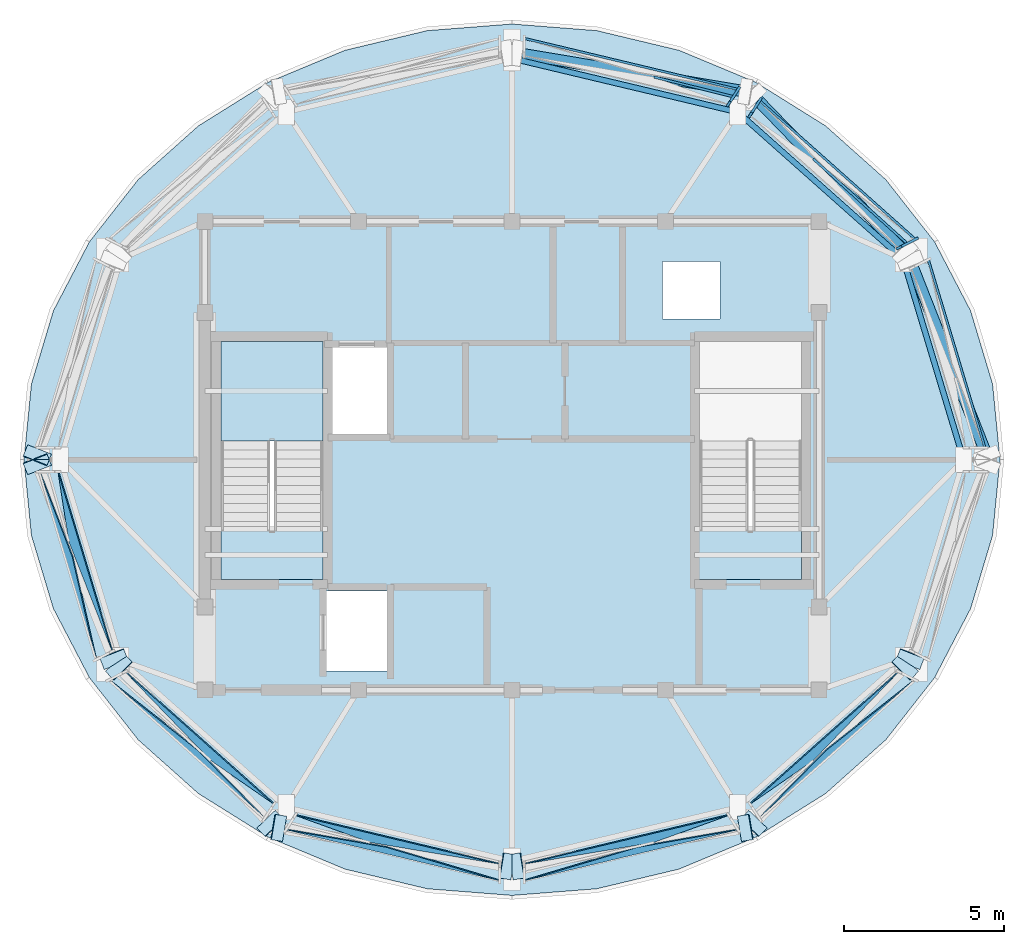
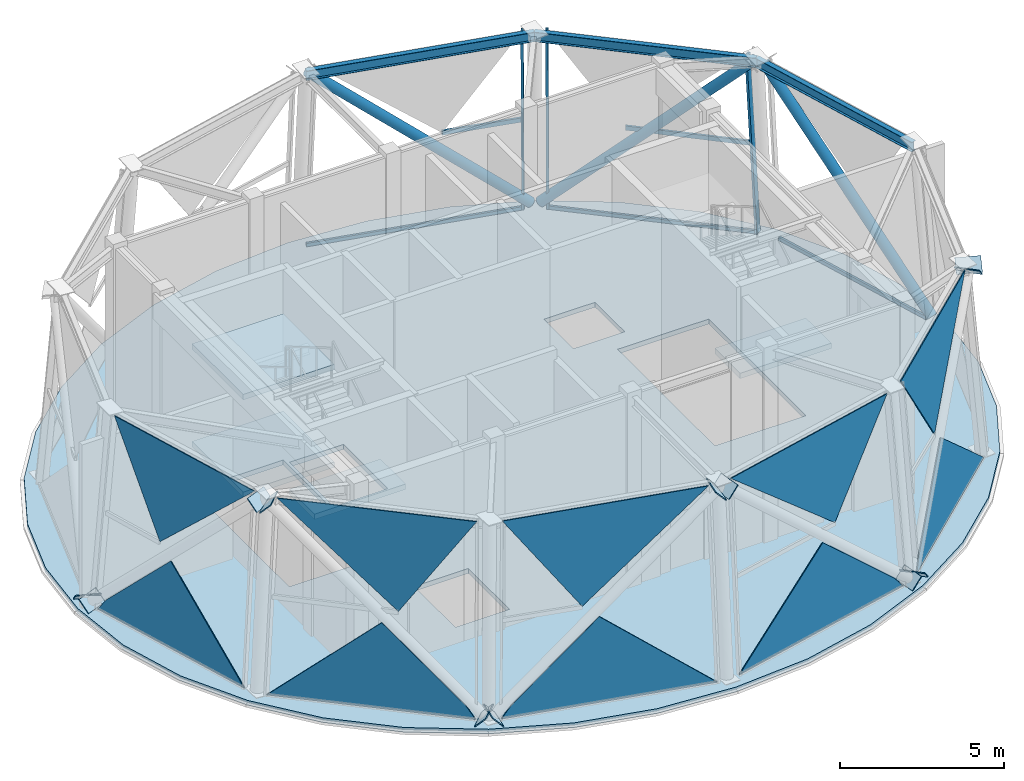
# One storey, part 3 of 8: 22 plates, 11 members, 5 slabs, 3 beams, 10 elements without a shape of their own.
"""IFC4 building model written with IfcOpenShell, lengths in metres."""

from ifc_helpers import new_model, si_unit, direction, frame, origin, origin_2d, place, context, subcontext, project, spatial, polyline, hollow_rectangle, hollow_circle, i_section, outline, extrude, material, layer, layer_set, material_profile, profile_set, type_object, element, aggregate, save


model = new_model("IFC4")

# Units and contexts
model_context = context("Model", 3, precision=1e-05, world=origin(), true_north=direction((0.0, 1.0)))
body_context = subcontext(model_context, "Body", "Model", "MODEL_VIEW")
ifc_project = project(units=[si_unit("LENGTHUNIT", "METRE"), si_unit("AREAUNIT", "SQUARE_METRE"), si_unit("VOLUMEUNIT", "CUBIC_METRE"), si_unit("PLANEANGLEUNIT", "RADIAN"), si_unit("MASSUNIT", "GRAM", prefix="KILO")], contexts=[model_context])

# Site, building, storey
site_placement = place(None, origin())
site = spatial("IfcSite", under=ifc_project, at=site_placement, CompositionType="ELEMENT")
building_placement = place(site_placement, origin())
building = spatial("IfcBuilding", under=site, at=building_placement, Name="Vantalir Tower", CompositionType="ELEMENT")
storey_placement = place(building_placement, frame((0.0, 0.0, 333.5)))
storey = spatial("IfcBuildingStorey", under=building, at=storey_placement, Name="L80", CompositionType="ELEMENT", Elevation=333.5)

# Beams
ifc_material_1 = material(Name="Steel S460", Category="steel")
ifc_material_profile_1 = material_profile(ifc_material_1, i_section(OverallWidth=0.172119140625, OverallDepth=0.35791015625, WebThickness=0.008056640625, FlangeThickness=0.012939453125, at=origin_2d()), Name="Steel S460")
ifc_profile_set_1 = profile_set([ifc_material_profile_1], Name="Steel S460")
beam_type = type_object("IfcBeamType", Name="BM-RB-356x171", PredefinedType="BEAM", material=ifc_profile_set_1)
beam_1_placement = place(storey_placement, frame((45.614013671875, 25.0, 6.89111328125), z_axis=(-0.288722271948, 0.957412894044, 0.0), x_axis=(-0.957412894044, -0.288722271948, 0.0)))
element("IfcBeam", 1, at=beam_1_placement, inside=storey, type_object=beam_type, Name="L80 Circumferential Ring Girder 01", PredefinedType="BEAM", context=body_context, shape_type="SweptSolid", body=[
    extrude(i_section(OverallWidth=0.172119140625, OverallDepth=0.35791015625, WebThickness=0.008056640625, FlangeThickness=0.012939453125, at=origin_2d()), origin(), (0.0, 0.0, 1.0), 6.550048828125),
])
beam_2_placement = place(storey_placement, frame((43.722900390625, 31.27099609375, 6.89111328125), z_axis=(-0.747407369896, 0.664366031209, 0.0), x_axis=(-0.664366031209, -0.747407369896, 0.0)))
element("IfcBeam", 2, at=beam_2_placement, inside=storey, type_object=beam_type, Name="L80 Circumferential Ring Girder 02", PredefinedType="BEAM", context=body_context, shape_type="SweptSolid", body=[
    extrude(i_section(OverallWidth=0.172119140625, OverallDepth=0.35791015625, WebThickness=0.008056640625, FlangeThickness=0.012939453125, at=origin_2d()), origin(), (0.0, 0.0, 1.0), 6.911865234375),
])
beam_3_placement = place(storey_placement, frame((38.556884765625, 35.863037109375, 6.89111328125), z_axis=(-0.97281488068, 0.231584127105, 0.0), x_axis=(-0.231584127105, -0.97281488068, 0.0)))
element("IfcBeam", 3, at=beam_3_placement, inside=storey, type_object=beam_type, Name="L80 Circumferential Ring Girder 03", PredefinedType="BEAM", context=body_context, shape_type="SweptSolid", body=[
    extrude(i_section(OverallWidth=0.172119140625, OverallDepth=0.35791015625, WebThickness=0.008056640625, FlangeThickness=0.012939453125, at=origin_2d()), origin(), (0.0, 0.0, 1.0), 7.254150390625),
])

# Curtain wall, members
ifc_material_2 = material(Name="Champagne-silver PVDF aluminium and double-silver Low-E glass", Category="aluminium")
ifc_layer_1 = layer(ifc_material_2, 0.25)
ifc_layer_set_1 = layer_set([ifc_layer_1], Name="Champagne-silver PVDF aluminium and double-silver Low-E glass")
curtain_wall_type = type_object("IfcCurtainWallType", Name="CW-CROWN-PT", PredefinedType="USERDEFINED", material=ifc_layer_set_1)
curtain_wall_1_placement = place(storey_placement, origin())
curtain_wall_1 = element("IfcCurtainWall", 4, at=curtain_wall_1_placement, inside=storey, type_object=curtain_wall_type, Name="L80 Quilted Pyramid-Diamond Curtain Wall S02", ObjectType="UNITISED CURTAIN WALL", PredefinedType="USERDEFINED")
ifc_material_3 = material(Name="Champagne-silver PVDF aluminium 6063-T6", Category="aluminium")
ifc_material_profile_2 = material_profile(ifc_material_3, hollow_rectangle(XDim=0.080078125, YDim=0.199951171875, WallThickness=0.0048828125, at=origin_2d()), Name="Champagne-silver PVDF aluminium 6063-T6")
ifc_profile_set_2 = profile_set([ifc_material_profile_2], Name="Champagne-silver PVDF aluminium 6063-T6")
member_type_1 = type_object("IfcMemberType", Name="CWM-200x80", PredefinedType="MULLION", material=ifc_profile_set_2)
member_1_placement = place(storey_placement, frame((44.10498046875, 31.886962890625, 0.044921875), z_axis=(-0.072544830154, -0.037405383352, 0.996663476262), x_axis=(0.4582838613, -0.888805885709, 0.0)))
member_1 = element("IfcMember", 5, at=member_1_placement, type_object=member_type_1, Name="CW-L80-S02 Mullion 1", PredefinedType="MULLION", context=body_context, shape_type="SweptSolid", body=[
    extrude(hollow_rectangle(XDim=0.080078125, YDim=0.199951171875, WallThickness=0.0048828125, at=origin_2d()), origin(), (0.0, 0.0, 1.0), 7.00341796875),
])
member_2_placement = place(storey_placement, frame((39.237060546875, 36.221923828125, 0.044921875), z_axis=(-0.041986824775, -0.0648284944, 0.997012724522), x_axis=(0.839339926536, -0.54360692391, 0.0)))
member_2 = element("IfcMember", 6, at=member_2_placement, type_object=member_type_1, Name="CW-L80-S02 Mullion 2", PredefinedType="MULLION", context=body_context, shape_type="SweptSolid", body=[
    extrude(hollow_rectangle(XDim=0.080078125, YDim=0.199951171875, WallThickness=0.0048828125, at=origin_2d()), origin(), (0.0, 0.0, 1.0), 7.0009765625),
])

# Curtain wall, member
curtain_wall_2_placement = place(storey_placement, origin())
curtain_wall_2 = element("IfcCurtainWall", 7, at=curtain_wall_2_placement, inside=storey, type_object=curtain_wall_type, Name="L80 Quilted Pyramid-Diamond Curtain Wall S03", ObjectType="UNITISED CURTAIN WALL", PredefinedType="USERDEFINED")
member_3_placement = place(storey_placement, frame((38.56689453125, 36.571044921875, 0.044921875), z_axis=(-0.041986729828, -0.064863220499, 0.997010469927), x_axis=(0.839473273036, -0.54340097889, 0.0)))
member_3 = element("IfcMember", 8, at=member_3_placement, type_object=member_type_1, Name="CW-L80-S03 Mullion 1", PredefinedType="MULLION", context=body_context, shape_type="SweptSolid", body=[
    extrude(hollow_rectangle(XDim=0.080078125, YDim=0.199951171875, WallThickness=0.0048828125, at=origin_2d()), origin(), (0.0, 0.0, 1.0), 7.0009765625),
])

curtain_wall_3_placement = place(storey_placement, origin())
curtain_wall_3 = element("IfcCurtainWall", 9, at=curtain_wall_3_placement, inside=storey, type_object=curtain_wall_type, Name="L80 Quilted Pyramid-Diamond Curtain Wall S01", ObjectType="UNITISED CURTAIN WALL", PredefinedType="USERDEFINED")
ifc_material_profile_3 = material_profile(ifc_material_3, hollow_rectangle(XDim=0.070068359375, YDim=0.139892578125, WallThickness=0.00390625, at=origin_2d()), Name="Champagne-silver PVDF aluminium 6063-T6")
ifc_profile_set_3 = profile_set([ifc_material_profile_3], Name="Champagne-silver PVDF aluminium 6063-T6")
member_type_2 = type_object("IfcMemberType", Name="CWT-140x70", PredefinedType="USERDEFINED", material=ifc_profile_set_3)
member_4_placement = place(storey_placement, frame((46.279052734375, 25.373046875, 0.054931640625), z_axis=(-0.288310372114, 0.95753701199, 0.0), x_axis=(-0.95753701199, -0.288310372114, 0.0)))
member_4 = element("IfcMember", 10, at=member_4_placement, type_object=member_type_2, Name="CW-L80-S01 Sill Transom", ObjectType="TRANSOM", PredefinedType="USERDEFINED", context=body_context, shape_type="SweptSolid", body=[
    extrude(hollow_rectangle(XDim=0.070068359375, YDim=0.139892578125, WallThickness=0.00390625, at=origin_2d()), origin(), (0.0, 0.0, 1.0), 6.142578125),
])
aggregate(curtain_wall_3, [member_4])

# Member
member_5_placement = place(storey_placement, frame((44.10498046875, 31.886962890625, 0.054931640625), z_axis=(-0.746805605234, 0.665042395634, 0.0), x_axis=(-0.665042395634, -0.746805605234, 0.0)))
member_5 = element("IfcMember", 11, at=member_5_placement, type_object=member_type_2, Name="CW-L80-S02 Sill Transom", ObjectType="TRANSOM", PredefinedType="USERDEFINED", context=body_context, shape_type="SweptSolid", body=[
    extrude(hollow_rectangle(XDim=0.070068359375, YDim=0.139892578125, WallThickness=0.00390625, at=origin_2d()), origin(), (0.0, 0.0, 1.0), 6.518310546875),
])

member_6_placement = place(storey_placement, frame((38.56689453125, 36.571044921875, 0.054931640625), z_axis=(-0.972689129656, 0.232111733977, 0.0), x_axis=(-0.232111733977, -0.972689129656, 0.0)))
member_6 = element("IfcMember", 12, at=member_6_placement, type_object=member_type_2, Name="CW-L80-S03 Sill Transom", ObjectType="TRANSOM", PredefinedType="USERDEFINED", context=body_context, shape_type="SweptSolid", body=[
    extrude(hollow_rectangle(XDim=0.070068359375, YDim=0.139892578125, WallThickness=0.00390625, at=origin_2d()), origin(), (0.0, 0.0, 1.0), 6.875732421875),
])

ifc_material_profile_4 = material_profile(ifc_material_3, hollow_rectangle(XDim=0.074951171875, YDim=0.159912109375, WallThickness=0.00390625, at=origin_2d()), Name="Champagne-silver PVDF aluminium 6063-T6")
ifc_profile_set_4 = profile_set([ifc_material_profile_4], Name="Champagne-silver PVDF aluminium 6063-T6")
member_type_3 = type_object("IfcMemberType", Name="CWT-160x75", PredefinedType="USERDEFINED", material=ifc_profile_set_4)
member_7_placement = place(storey_placement, frame((43.85107421875, 31.756103515625, 3.534912109375), z_axis=(-0.742888421975, 0.669415261625, 0.0), x_axis=(-0.669415261625, -0.742888421975, 0.0)))
member_7 = element("IfcMember", 13, at=member_7_placement, type_object=member_type_3, Name="CW-L80-S02 Pyramid Fold Ridge Transom", ObjectType="TRANSOM", PredefinedType="USERDEFINED", context=body_context, shape_type="SweptSolid", body=[
    extrude(hollow_rectangle(XDim=0.074951171875, YDim=0.159912109375, WallThickness=0.00390625, at=origin_2d()), origin(), (0.0, 0.0, 1.0), 3.950927734375),
])

aggregate(curtain_wall_1, [member_1, member_2, member_5, member_7])

member_8_placement = place(storey_placement, frame((38.419921875, 36.343994140625, 3.534912109375), z_axis=(-0.970439991424, 0.241342542963, 0.0), x_axis=(-0.241342542963, -0.970439991424, 0.0)))
member_8 = element("IfcMember", 14, at=member_8_placement, type_object=member_type_3, Name="CW-L80-S03 Pyramid Fold Ridge Transom", ObjectType="TRANSOM", PredefinedType="USERDEFINED", context=body_context, shape_type="SweptSolid", body=[
    extrude(hollow_rectangle(XDim=0.074951171875, YDim=0.159912109375, WallThickness=0.00390625, at=origin_2d()), origin(), (0.0, 0.0, 1.0), 2.55224609375),
])

aggregate(curtain_wall_2, [member_3, member_6, member_8])

# Members
ifc_material_profile_5 = material_profile(ifc_material_1, hollow_circle(Radius=0.177490234375, WallThickness=0.02001953125, at=origin_2d()), Name="Steel S460")
ifc_profile_set_5 = profile_set([ifc_material_profile_5], Name="Steel S460")
member_type_4 = type_object("IfcMemberType", Name="MEM-DB-355x20", PredefinedType="BRACE", material=ifc_profile_set_5)
member_9_placement = place(storey_placement, frame((46.333984375, 25.14404296875, 0.236083984375), z_axis=(-0.257334507733, 0.654710533472, 0.710727140674), x_axis=(-0.930690136517, -0.365808515197, 0.0)))
element("IfcMember", 15, at=member_9_placement, inside=storey, type_object=member_type_4, Name="L80 CROWN FRAME Diagrid Brace R01L", PredefinedType="BRACE", context=body_context, shape_type="SweptSolid", body=[
    extrude(hollow_circle(Radius=0.177490234375, WallThickness=0.02001953125, at=origin_2d()), origin(), (0.0, 0.0, 1.0), 9.283203125),
])
member_10_placement = place(storey_placement, frame((38.785888671875, 36.508056640625, 0.22900390625), z_axis=(-0.727541746998, 0.122312160906, 0.675072397354), x_axis=(-0.165790463135, -0.986161002237, 0.0)))
element("IfcMember", 16, at=member_10_placement, inside=storey, type_object=member_type_4, Name="L80 CROWN FRAME Diagrid Brace R07L", PredefinedType="BRACE", context=body_context, shape_type="SweptSolid", body=[
    extrude(hollow_circle(Radius=0.177490234375, WallThickness=0.02001953125, at=origin_2d()), origin(), (0.0, 0.0, 1.0), 9.794677734375),
])
member_11_placement = place(storey_placement, frame((39.055908203125, 36.367919921875, 0.23291015625), z_axis=(0.498277474515, -0.515872527513, 0.696846535292), x_axis=(0.719266526377, 0.69473423986, 0.0)))
element("IfcMember", 17, at=member_11_placement, inside=storey, type_object=member_type_4, Name="L80 CROWN FRAME Diagrid Brace R07R", PredefinedType="BRACE", context=body_context, shape_type="SweptSolid", body=[
    extrude(hollow_circle(Radius=0.177490234375, WallThickness=0.02001953125, at=origin_2d()), origin(), (0.0, 0.0, 1.0), 9.47705078125),
])

# Curtain wall, plates
curtain_wall_4_placement = place(storey_placement, origin())
curtain_wall_4 = element("IfcCurtainWall", 18, at=curtain_wall_4_placement, inside=storey, type_object=curtain_wall_type, Name="L80 Quilted Pyramid-Diamond Curtain Wall S07", ObjectType="UNITISED CURTAIN WALL", PredefinedType="USERDEFINED")
ifc_material_4 = material(Name="Faceted crown Low-E glass IGU", Category="glass")
ifc_layer_2 = layer(ifc_material_4, 0.033935546875)
ifc_layer_set_2 = layer_set([ifc_layer_2], Name="Faceted crown Low-E glass IGU")
plate_type_1 = type_object("IfcPlateType", Name="CWP-IGU-CRN-34", PredefinedType="CURTAIN_PANEL", material=ifc_layer_set_2)
plate_1_placement = place(storey_placement, frame((16.725830078125, 24.61328125, 0.05078125), z_axis=(-0.954992265426, -0.28738539468, 0.073480663453), x_axis=(0.288155960354, -0.957583483666, -0.000119677987)))
plate_1 = element("IfcPlate", 19, at=plate_1_placement, type_object=plate_type_1, Name="CW-L80-S07 Pyramid Diamond Facet 1L", PredefinedType="CURTAIN_PANEL", context=body_context, shape_type="SweptSolid", body=[
    extrude(outline(polyline([(0.0, 0.0), (6.114586575602317, -2.1033522146218786e-17), (2.834253891100633, 3.03368684563364), (0.3267698423493403, 0.4830350208108486), (0.0, 0.0)])), origin(), (0.0, 0.0, -1.0), 0.033935546875),
])
plate_2_placement = place(storey_placement, frame((18.9951171875, 19.019775390625, 7.019775390625), z_axis=(-0.95394802301, -0.287076539542, 0.087007067762), x_axis=(-0.288179850079, 0.957576293716, -0.000125386447)))
plate_2 = element("IfcPlate", 20, at=plate_2_placement, type_object=plate_type_1, Name="CW-L80-S07 Pyramid Diamond Facet 2U", PredefinedType="CURTAIN_PANEL", context=body_context, shape_type="SweptSolid", body=[
    extrude(outline(polyline([(0.0, 0.0), (5.841316139594503, -3.599551212651875e-17), (3.657206246400454, 3.482964774344214), (0.0, 0.0)])), origin(), (0.0, 0.0, -1.0), 0.033935546875),
])
aggregate(curtain_wall_4, [plate_1, plate_2])

curtain_wall_5_placement = place(storey_placement, origin())
curtain_wall_5 = element("IfcCurtainWall", 21, at=curtain_wall_5_placement, inside=storey, type_object=curtain_wall_type, Name="L80 Quilted Pyramid-Diamond Curtain Wall S08", ObjectType="UNITISED CURTAIN WALL", PredefinedType="USERDEFINED")
plate_3_placement = place(storey_placement, frame((18.90625, 18.1025390625, 0.0498046875), z_axis=(-0.663361954325, -0.745062413755, 0.069519185586), x_axis=(0.746874609188, -0.664964890341, 0.000112977833)))
plate_3 = element("IfcPlate", 22, at=plate_3_placement, type_object=plate_type_1, Name="CW-L80-S08 Pyramid Diamond Facet 1L", PredefinedType="CURTAIN_PANEL", context=body_context, shape_type="SweptSolid", body=[
    extrude(outline(polyline([(0.0, 0.0), (6.488619589431795, -4.90059381963448e-17), (6.168344368368737, 0.4540148347894933), (3.5246797962705485, 3.0384477735459066), (0.0, 0.0)])), origin(), (0.0, 0.0, -1.0), 0.033935546875),
])
plate_4_placement = place(storey_placement, frame((24.0458984375, 14.2412109375, 7.019287109375), z_axis=(-0.662524502193, -0.744418141526, 0.083083780366), x_axis=(-0.746994296109, 0.664830435248, 0.000118108089)))
plate_4 = element("IfcPlate", 23, at=plate_4_placement, type_object=plate_type_1, Name="CW-L80-S08 Pyramid Diamond Facet 2U", PredefinedType="CURTAIN_PANEL", context=body_context, shape_type="SweptSolid", body=[
    extrude(outline(polyline([(0.0, 0.0), (6.20128459197202, 3.5670251474773096e-17), (2.3708085343348366, 3.4820455418989025), (0.0, 0.0)])), origin(), (0.0, 0.0, -1.0), 0.033935546875),
])
aggregate(curtain_wall_5, [plate_3, plate_4])

curtain_wall_6_placement = place(storey_placement, origin())
curtain_wall_6 = element("IfcCurtainWall", 24, at=curtain_wall_6_placement, inside=storey, type_object=curtain_wall_type, Name="L80 Quilted Pyramid-Diamond Curtain Wall S09", ObjectType="UNITISED CURTAIN WALL", PredefinedType="USERDEFINED")
plate_5_placement = place(storey_placement, frame((24.447021484375, 13.425537109375, 0.050048828125), z_axis=(-0.231511205831, -0.970584981949, 0.066085962122), x_axis=(0.972710319788, -0.232022906012, -6.9742266e-05)))
plate_5 = element("IfcPlate", 25, at=plate_5_placement, type_object=plate_type_1, Name="CW-L80-S09 Pyramid Diamond Facet 1L", PredefinedType="CURTAIN_PANEL", context=body_context, shape_type="SweptSolid", body=[
    extrude(outline(polyline([(0.0, 0.0), (6.846468083293779, -2.7647155398380363e-18), (3.164820668970539, 3.038112244992607), (0.31636802097627253, 0.4179386876146592), (0.0, 0.0)])), origin(), (0.0, 0.0, -1.0), 0.033935546875),
])
plate_6_placement = place(storey_placement, frame((31.106689453125, 12.3603515625, 7.020263671875), z_axis=(-0.231312983845, -0.969616705929, 0.079609968527), x_axis=(-0.97270604915, 0.232040792579, -0.000111916781)))
plate_6 = element("IfcPlate", 26, at=plate_6_placement, type_object=plate_type_1, Name="CW-L80-S09 Pyramid Diamond Facet 2U", PredefinedType="CURTAIN_PANEL", context=body_context, shape_type="SweptSolid", body=[
    extrude(outline(polyline([(0.0, 0.0), (6.544343650181016, -1.5178830414797062e-18), (4.093449364637646, 3.481294337492108), (0.0, 0.0)])), origin(), (0.0, 0.0, -1.0), 0.033935546875),
])
aggregate(curtain_wall_6, [plate_5, plate_6])

curtain_wall_7_placement = place(storey_placement, origin())
curtain_wall_7 = element("IfcCurtainWall", 27, at=curtain_wall_7_placement, inside=storey, type_object=curtain_wall_type, Name="L80 Quilted Pyramid-Diamond Curtain Wall S10", ObjectType="UNITISED CURTAIN WALL", PredefinedType="USERDEFINED")
plate_7_placement = place(storey_placement, frame((31.893310546875, 11.837158203125, 0.049560546875), z_axis=(0.231511205831, -0.970584981949, 0.066085962122), x_axis=(0.972710319788, 0.232022906012, 6.9742266e-05)))
plate_7 = element("IfcPlate", 28, at=plate_7_placement, type_object=plate_type_1, Name="CW-L80-S10 Pyramid Diamond Facet 1L", PredefinedType="CURTAIN_PANEL", context=body_context, shape_type="SweptSolid", body=[
    extrude(outline(polyline([(0.0, 0.0), (6.846468083293779, 2.7647155398380363e-18), (6.530100062317506, 0.41793868761465913), (3.68164741432324, 3.038112244992607), (0.0, 0.0)])), origin(), (0.0, 0.0, -1.0), 0.033935546875),
])
plate_8_placement = place(storey_placement, frame((38.259033203125, 13.87890625, 7.01953125), z_axis=(0.231312983845, -0.969616705929, 0.079609968527), x_axis=(-0.97270604915, -0.232040792579, 0.000111916781)))
plate_8 = element("IfcPlate", 29, at=plate_8_placement, type_object=plate_type_1, Name="CW-L80-S10 Pyramid Diamond Facet 2U", PredefinedType="CURTAIN_PANEL", context=body_context, shape_type="SweptSolid", body=[
    extrude(outline(polyline([(0.0, 0.0), (6.544343650181016, 1.5178830414797062e-18), (2.4508942855433693, 3.481294337492108), (0.0, 0.0)])), origin(), (0.0, 0.0, -1.0), 0.033935546875),
])
aggregate(curtain_wall_7, [plate_7, plate_8])

curtain_wall_8_placement = place(storey_placement, origin())
curtain_wall_8 = element("IfcCurtainWall", 30, at=curtain_wall_8_placement, inside=storey, type_object=curtain_wall_type, Name="L80 Quilted Pyramid-Diamond Curtain Wall S11", ObjectType="UNITISED CURTAIN WALL", PredefinedType="USERDEFINED")
plate_9_placement = place(storey_placement, frame((39.24755859375, 13.787841796875, 0.050537109375), z_axis=(0.663361954325, -0.745062413755, 0.069519185586), x_axis=(0.746874609188, 0.664964890341, -0.000112977833)))
plate_9 = element("IfcPlate", 31, at=plate_9_placement, type_object=plate_type_1, Name="CW-L80-S11 Pyramid Diamond Facet 1L", PredefinedType="CURTAIN_PANEL", context=body_context, shape_type="SweptSolid", body=[
    extrude(outline(polyline([(0.0, 0.0), (6.488619589431795, 4.90059381963448e-17), (2.963939793161247, 3.038447773545906), (0.3202752210630588, 0.4540148347894933), (0.0, 0.0)])), origin(), (0.0, 0.0, -1.0), 0.033935546875),
])
plate_10_placement = place(storey_placement, frame((43.58642578125, 18.364013671875, 7.02001953125), z_axis=(0.662524502193, -0.744418141526, 0.083083780366), x_axis=(-0.746994296109, -0.664830435248, -0.000118108089)))
plate_10 = element("IfcPlate", 32, at=plate_10_placement, type_object=plate_type_1, Name="CW-L80-S11 Pyramid Diamond Facet 2U", PredefinedType="CURTAIN_PANEL", context=body_context, shape_type="SweptSolid", body=[
    extrude(outline(polyline([(0.0, 0.0), (6.20128459197202, -3.5670251474773096e-17), (3.830476057637183, 3.4820455418989025), (0.0, 0.0)])), origin(), (0.0, 0.0, -1.0), 0.033935546875),
])
aggregate(curtain_wall_8, [plate_9, plate_10])

# Plates
ifc_layer_3 = layer(ifc_material_1, 0.031982421875)
ifc_layer_set_3 = layer_set([ifc_layer_3], Name="Steel S460")
plate_type_2 = type_object("IfcPlateType", Name="PLT-KN-Z3", PredefinedType="USERDEFINED", material=ifc_layer_set_3)
plate_11_placement = place(storey_placement, frame((43.49853515625, 18.73583984375, 6.667724609375), z_axis=(-0.257490898054, -0.655001867443, 0.710401992583), x_axis=(0.930669875444, -0.365860059232, 0.0)))
element("IfcPlate", 33, at=plate_11_placement, inside=storey, type_object=plate_type_2, Name="Node Cap Plate MEM-DG-L80-R01R End", ObjectType="FLANGE_PLATE", PredefinedType="USERDEFINED", context=body_context, shape_type="SweptSolid", body=[
    extrude(outline(polyline([(0.0, 0.0), (0.8000999343562138, 2.7755575615628914e-17), (0.8002122750782432, 0.5199897743709904), (0.00011234072202945256, 0.5199897743709904), (0.0, 0.0)])), origin(), (0.0, 0.0, -1.0), 0.031982421875),
])
for number, where, z_axis, x_axis, name in (
    (34, (16.363037109375, 24.532470703125, 0.05908203125), (0.257490898054, -0.655001867443, 0.710401992583), (0.930669875444, 0.365860059232, 0.0), "Node Cap Plate MEM-DG-L80-R19L Start"),
    (35, (18.7568359375, 18.443115234375, 6.667724609375), (0.257490898054, -0.655001867443, 0.710401992583), (0.930669875444, 0.365860059232, 0.0), "Node Cap Plate MEM-DG-L80-R19L End"),
):
    element("IfcPlate", number, at=place(storey_placement, frame(where, z_axis=z_axis, x_axis=x_axis)), inside=storey, type_object=plate_type_2, Name=name, ObjectType="FLANGE_PLATE", PredefinedType="USERDEFINED", context=body_context, shape_type="SweptSolid", body=[
        extrude(outline(polyline([(0.0, 0.0), (0.8000999343562138, -2.7755575615628914e-17), (0.7999875936341843, 0.5199897743709904), (-0.00011234072202945256, 0.5199897743709904), (0.0, 0.0)])), origin(), (0.0, 0.0, -1.0), 0.031982421875),
    ])
plate_12_placement = place(storey_placement, frame((17.107666015625, 25.1748046875, 0.05908203125), z_axis=(0.257490898054, 0.655001867443, 0.710401992583), x_axis=(-0.930669875444, 0.365860059232, 0.0)))
element("IfcPlate", 36, at=plate_12_placement, inside=storey, type_object=plate_type_2, Name="Node Cap Plate MEM-DG-L80-R19R Start", ObjectType="FLANGE_PLATE", PredefinedType="USERDEFINED", context=body_context, shape_type="SweptSolid", body=[
    extrude(outline(polyline([(0.0, 0.0), (0.8000999343562138, 2.7755575615628914e-17), (0.8002122750782432, 0.5199897743709904), (0.00011234072202945256, 0.5199897743709904), (0.0, 0.0)])), origin(), (0.0, 0.0, -1.0), 0.031982421875),
])
plate_13_placement = place(storey_placement, frame((24.32666015625, 13.067626953125, 0.042236328125), z_axis=(0.727461999522, -0.122237928436, 0.675171776737), x_axis=(0.165721640493, 0.986172569946, -1.2595204e-05)))
element("IfcPlate", 37, at=plate_13_placement, inside=storey, type_object=plate_type_2, Name="Node Cap Plate MEM-DG-L80-R25L Start", ObjectType="FLANGE_PLATE", PredefinedType="USERDEFINED", context=body_context, shape_type="SweptSolid", body=[
    extrude(outline(polyline([(0.0, 0.0), (0.7998804746784303, 1.3877787807814457e-17), (0.8000470203161163, 0.5199613887699386), (-7.421914989857249e-05, 0.519934069498213), (0.0, 0.0)])), origin(), (0.0, 0.0, -1.0), 0.031982421875),
])
plate_14_placement = place(storey_placement, frame((31.464111328125, 11.867431640625, 6.665771484375), z_axis=(0.727636146818, -0.122492360783, 0.674937967071), x_axis=(0.166018424657, 0.986122650848, -1.2616411e-05)))
element("IfcPlate", 38, at=plate_14_placement, inside=storey, type_object=plate_type_2, Name="Node Cap Plate MEM-DG-L80-R25L End", ObjectType="FLANGE_PLATE", PredefinedType="USERDEFINED", context=body_context, shape_type="SweptSolid", body=[
    extrude(outline(polyline([(0.0, 0.0), (0.7999209736091022, 1.3877787807814457e-17), (0.7999818511457224, 0.5201415261643116), (-0.00017987506368444587, 0.5201141674440501), (0.0, 0.0)])), origin(), (0.0, 0.0, -1.0), 0.031982421875),
])
plate_15_placement = place(storey_placement, frame((24.10205078125, 14.044921875, 0.052490234375), z_axis=(-0.498185333669, 0.515579156254, 0.697129476463), x_axis=(-0.719097421637, -0.694909271334, 5.2998547e-05)))
element("IfcPlate", 39, at=plate_15_placement, inside=storey, type_object=plate_type_2, Name="Node Cap Plate MEM-DG-L80-R25R Start", ObjectType="FLANGE_PLATE", PredefinedType="USERDEFINED", context=body_context, shape_type="SweptSolid", body=[
    extrude(outline(polyline([(0.0, 0.0), (0.7999272305187144, 0.0), (0.8001358703765695, 0.5199285842170702), (3.307896390074923e-05, 0.5200468627965282), (0.0, 0.0)])), origin(), (0.0, 0.0, -1.0), 0.031982421875),
])
plate_16_placement = place(storey_placement, frame((19.371337890625, 18.940185546875, 6.6669921875), z_axis=(-0.498302609588, 0.515700526788, 0.696955863702), x_axis=(-0.719097439472, -0.694909252879, 5.2997821e-05)))
element("IfcPlate", 40, at=plate_16_placement, inside=storey, type_object=plate_type_2, Name="Node Cap Plate MEM-DG-L80-R25R End", ObjectType="FLANGE_PLATE", PredefinedType="USERDEFINED", context=body_context, shape_type="SweptSolid", body=[
    extrude(outline(polyline([(0.0, 0.0), (0.7999272305176257, 5.551115123125783e-17), (0.7999662052244093, 0.5198062319549397), (-0.00013658619152490326, 0.5199244810783623), (0.0, 0.0)])), origin(), (0.0, 0.0, -1.0), 0.031982421875),
])
plate_17_placement = place(storey_placement, frame((39.47314453125, 13.489013671875, 0.052490234375), z_axis=(0.498185333669, 0.515579156254, 0.697129476463), x_axis=(-0.719097421637, 0.694909271334, -5.2998547e-05)))
element("IfcPlate", 41, at=plate_17_placement, inside=storey, type_object=plate_type_2, Name="Node Cap Plate MEM-DG-L80-R31L Start", ObjectType="FLANGE_PLATE", PredefinedType="USERDEFINED", context=body_context, shape_type="SweptSolid", body=[
    extrude(outline(polyline([(0.0, 0.0), (0.7999272305187144, 0.0), (0.7998941515548136, 0.5200468627965282), (-0.00020863985785506774, 0.5199285842170702), (0.0, 0.0)])), origin(), (0.0, 0.0, -1.0), 0.031982421875),
])
plate_18_placement = place(storey_placement, frame((44.203857421875, 18.38427734375, 6.6669921875), z_axis=(0.498302609588, 0.515700526788, 0.696955863702), x_axis=(-0.719097439472, 0.694909252879, -5.2997821e-05)))
element("IfcPlate", 42, at=plate_18_placement, inside=storey, type_object=plate_type_2, Name="Node Cap Plate MEM-DG-L80-R31L End", ObjectType="FLANGE_PLATE", PredefinedType="USERDEFINED", context=body_context, shape_type="SweptSolid", body=[
    extrude(outline(polyline([(0.0, 0.0), (0.7999272305176257, -5.551115123125783e-17), (0.8000638167091507, 0.5199244810783623), (-3.897470678359894e-05, 0.5198062319549397), (0.0, 0.0)])), origin(), (0.0, 0.0, -1.0), 0.031982421875),
])
plate_19_placement = place(storey_placement, frame((38.540771484375, 13.8564453125, 0.042236328125), z_axis=(-0.727461999522, -0.122237928436, 0.675171776737), x_axis=(0.165721640493, -0.986172569946, 1.2595204e-05)))
element("IfcPlate", 43, at=plate_19_placement, inside=storey, type_object=plate_type_2, Name="Node Cap Plate MEM-DG-L80-R31R Start", ObjectType="FLANGE_PLATE", PredefinedType="USERDEFINED", context=body_context, shape_type="SweptSolid", body=[
    extrude(outline(polyline([(0.0, 0.0), (0.7998804746784303, -1.3877787807814457e-17), (0.7999546938283288, 0.519934069498213), (-0.00016654563768587403, 0.5199613887699386), (0.0, 0.0)])), origin(), (0.0, 0.0, -1.0), 0.031982421875),
])
plate_20_placement = place(storey_placement, frame((31.403076171875, 12.65625, 6.665771484375), z_axis=(-0.727636146818, -0.122492360783, 0.674937967071), x_axis=(0.166018424657, -0.986122650848, 1.2616411e-05)))
element("IfcPlate", 44, at=plate_20_placement, inside=storey, type_object=plate_type_2, Name="Node Cap Plate MEM-DG-L80-R31R End", ObjectType="FLANGE_PLATE", PredefinedType="USERDEFINED", context=body_context, shape_type="SweptSolid", body=[
    extrude(outline(polyline([(0.0, 0.0), (0.7999209736091022, -1.3877787807814457e-17), (0.8001008486727866, 0.5201141674440501), (-6.087753662019726e-05, 0.5201415261643116), (0.0, 0.0)])), origin(), (0.0, 0.0, -1.0), 0.031982421875),
])

# Stair, slabs
ifc_material_5 = material(Name="Concrete C40/50", Category="concrete")
stair_type = type_object("IfcStairType", Name="STR-CORE-1450", PredefinedType="HALF_TURN_STAIR", material=ifc_material_5)
stair_1_placement = place(storey_placement, origin())
stair_1 = element("IfcStair", 45, at=stair_1_placement, inside=storey, type_object=stair_type, Name="L80 Core Exit Stair 1", PredefinedType="HALF_TURN_STAIR")
ifc_layer_4 = layer(ifc_material_5, 0.199951171875)
ifc_layer_set_4 = layer_set([ifc_layer_4], Name="Concrete C40/50")
slab_type_1 = type_object("IfcSlabType", Name="SL-LAND-200", PredefinedType="LANDING", material=ifc_layer_set_4)
slab_1_placement = place(storey_placement, frame((0.0, 0.0, 1.612548828125)))
slab_1 = element("IfcSlab", 46, at=slab_1_placement, type_object=slab_type_1, Name="ST1 landing 1", PredefinedType="LANDING", context=body_context, shape_type="SweptSolid", body=[
    extrude(outline(polyline([(25.60009765625, 25.590087890625), (25.60009765625, 28.699951171875), (22.39990234375, 28.699951171875), (22.39990234375, 25.590087890625), (25.60009765625, 25.590087890625)])), origin(), (0.0, 0.0, 1.0), 0.199951171875),
])
slab_2_placement = place(storey_placement, frame((0.0, 0.0, 3.425048828125)))
slab_2 = element("IfcSlab", 47, at=slab_2_placement, type_object=slab_type_1, Name="ST1 landing 2", PredefinedType="LANDING", context=body_context, shape_type="SweptSolid", body=[
    extrude(outline(polyline([(25.60009765625, 21.25), (25.60009765625, 22.7900390625), (22.39990234375, 22.7900390625), (22.39990234375, 21.25), (25.60009765625, 21.25)])), origin(), (0.0, 0.0, 1.0), 0.199951171875),
])
slab_3_placement = place(storey_placement, frame((0.0, 0.0, 5.237548828125)))
slab_3 = element("IfcSlab", 48, at=slab_3_placement, type_object=slab_type_1, Name="ST1 landing 3", PredefinedType="LANDING", context=body_context, shape_type="SweptSolid", body=[
    extrude(outline(polyline([(25.60009765625, 25.590087890625), (25.60009765625, 28.699951171875), (22.39990234375, 28.699951171875), (22.39990234375, 25.590087890625), (25.60009765625, 25.590087890625)])), origin(), (0.0, 0.0, 1.0), 0.199951171875),
])
aggregate(stair_1, [slab_1, slab_2, slab_3])

# Stair, slab
stair_2_placement = place(storey_placement, origin())
stair_2 = element("IfcStair", 49, at=stair_2_placement, inside=storey, type_object=stair_type, Name="L80 Core Exit Stair 2", PredefinedType="HALF_TURN_STAIR")
slab_4_placement = place(storey_placement, frame((0.0, 0.0, 3.425048828125)))
slab_4 = element("IfcSlab", 50, at=slab_4_placement, type_object=slab_type_1, Name="ST2 landing 2", PredefinedType="LANDING", context=body_context, shape_type="SweptSolid", body=[
    extrude(outline(polyline([(40.550048828125, 21.25), (40.550048828125, 22.7900390625), (37.35009765625, 22.7900390625), (37.35009765625, 21.25), (40.550048828125, 21.25)])), origin(), (0.0, 0.0, 1.0), 0.199951171875),
])
aggregate(stair_2, [slab_4])

# Slab
ifc_layer_5 = layer(ifc_material_5, 0.179931640625)
ifc_layer_set_5 = layer_set([ifc_layer_5], Name="Concrete C40/50")
slab_type_2 = type_object("IfcSlabType", Name="SL-TWR-180", PredefinedType="FLOOR", material=ifc_layer_set_5)
slab_5_placement = place(storey_placement, frame((0.0, 0.0, -0.179931640625)))
element("IfcSlab", 51, at=slab_5_placement, inside=storey, type_object=slab_type_2, Name="L80 Primary Structural Slab", PredefinedType="FLOOR", context=body_context, shape_type="SweptSolid", body=[
    extrude(outline(polyline([(43.18310546875, 16.2470703125), (44.7080078125, 18.19091796875), (45.8310546875, 20.343017578125), (46.51904296875, 22.635009765625), (46.7509765625, 25.0), (46.51904296875, 27.364990234375), (45.8310546875, 29.656982421875), (44.7080078125, 31.80810546875), (43.18310546875, 33.7529296875), (41.302978515625, 35.430908203125), (39.1259765625, 36.79296875), (36.716064453125, 37.7958984375), (34.14794921875, 38.409912109375), (31.5, 38.616943359375), (28.85205078125, 38.409912109375), (26.283935546875, 37.7958984375), (23.875, 36.79296875), (21.697021484375, 35.430908203125), (19.81689453125, 33.7529296875), (18.2919921875, 31.80810546875), (17.1689453125, 29.656982421875), (16.48095703125, 27.364990234375), (16.2490234375, 25.0), (16.48095703125, 22.635009765625), (17.1689453125, 20.343017578125), (18.2919921875, 18.19091796875), (19.81689453125, 16.2470703125), (21.697021484375, 14.569091796875), (23.8740234375, 13.20703125), (26.283935546875, 12.2041015625), (28.85205078125, 11.590087890625), (31.5, 11.383056640625), (34.14794921875, 11.590087890625), (36.716064453125, 12.2041015625), (39.1259765625, 13.20703125), (41.302978515625, 14.569091796875), (43.18310546875, 16.2470703125)]), holes=[polyline([(25.60009765625, 22.7900390625), (22.39990234375, 22.7900390625), (22.39990234375, 28.699951171875), (25.60009765625, 28.699951171875), (25.60009765625, 22.7900390625)]), polyline([(37.35009765625, 22.7900390625), (37.35009765625, 28.699951171875), (40.550048828125, 28.699951171875), (40.550048828125, 22.7900390625), (37.35009765625, 22.7900390625)]), polyline([(25.699951171875, 20.89990234375), (27.60009765625, 20.89990234375), (27.60009765625, 18.39990234375), (25.699951171875, 18.39990234375), (25.699951171875, 20.89990234375)]), polyline([(27.60009765625, 28.5), (27.60009765625, 25.800048828125), (25.699951171875, 25.800048828125), (25.699951171875, 28.5), (27.60009765625, 28.5)]), polyline([(38.0, 29.39990234375), (36.199951171875, 29.39990234375), (36.199951171875, 31.199951171875), (38.0, 31.199951171875), (38.0, 29.39990234375)])]), origin(), (0.0, 0.0, 1.0), 0.179931640625),
])

save(model, "model.ifc")
